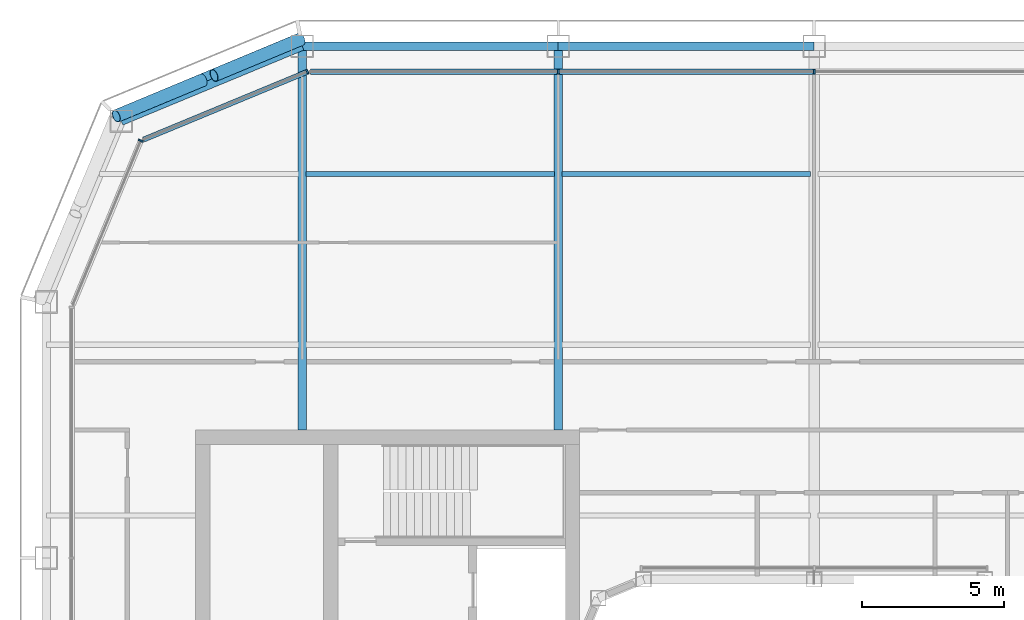
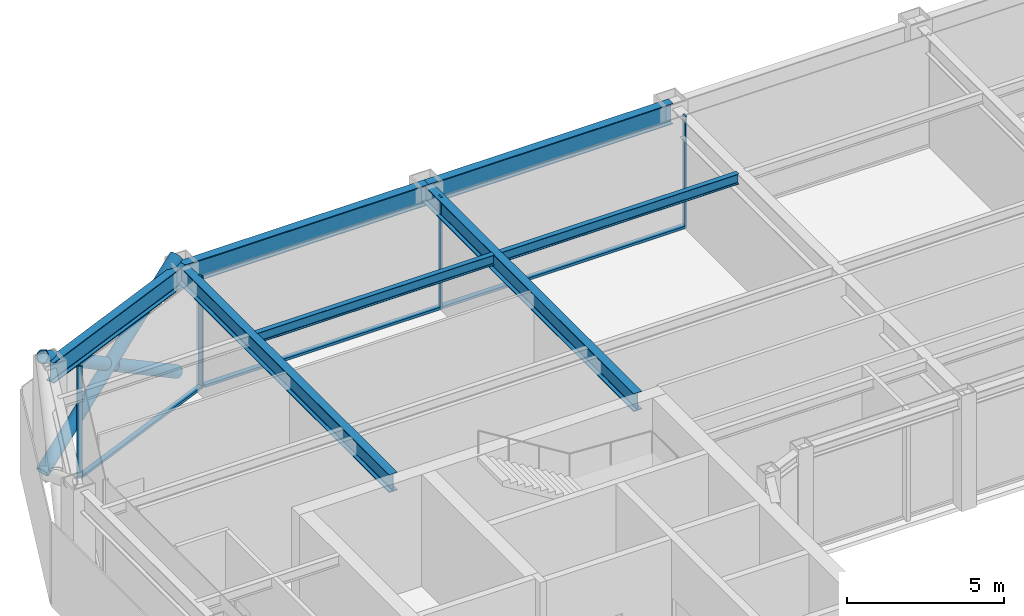
# One storey, part 8 of 22: 10 members, 7 beams, 3 elements without a shape of their own.
"""IFC4 building model written with IfcOpenShell, lengths in metres."""

from ifc_helpers import new_model, si_unit, direction, frame, origin, origin_2d, place, context, subcontext, project, spatial, rectangle, hollow_circle, i_section, extrude, material, layer, layer_set, material_profile, profile_set, type_object, element, aggregate, save


model = new_model("IFC4")

# Units and contexts
model_context = context("Model", 3, precision=1e-05, world=origin(), true_north=direction((0.0, 1.0)))
body_context = subcontext(model_context, "Body", "Model", "MODEL_VIEW")
ifc_project = project(units=[si_unit("LENGTHUNIT", "METRE"), si_unit("AREAUNIT", "SQUARE_METRE"), si_unit("VOLUMEUNIT", "CUBIC_METRE"), si_unit("PLANEANGLEUNIT", "RADIAN"), si_unit("MASSUNIT", "GRAM", prefix="KILO")], contexts=[model_context])

# Site, building, storey
site_placement = place(None, origin())
site = spatial("IfcSite", under=ifc_project, at=site_placement, CompositionType="ELEMENT")
building_placement = place(site_placement, origin())
building = spatial("IfcBuilding", under=site, at=building_placement, Name="Siwar Civic Tower", CompositionType="ELEMENT")
storey_placement = place(building_placement, frame((0.0, 0.0, 255.699951171875)))
storey = spatial("IfcBuildingStorey", under=building, at=storey_placement, Name="L55", CompositionType="ELEMENT", Elevation=255.699951171875)

# Curtain wall, members
ifc_material_1 = material(Name="Aluminium and glass", Category="aluminium")
ifc_layer_1 = layer(ifc_material_1, 0.179931640625)
ifc_layer_set_1 = layer_set([ifc_layer_1], Name="Aluminium and glass")
curtain_wall_type_1 = type_object("IfcCurtainWallType", Name="ENV-CW-C", PredefinedType="NOTDEFINED", material=ifc_layer_set_1)
curtain_wall_1_placement = place(storey_placement, origin())
curtain_wall_1 = element("IfcCurtainWall", 1, at=curtain_wall_1_placement, inside=storey, type_object=curtain_wall_type_1, Name="Curtain wall C N", PredefinedType="NOTDEFINED")
ifc_material_2 = material(Name="Aluminium 6063-T6", Category="aluminium")
ifc_material_profile_1 = material_profile(ifc_material_2, rectangle(XDim=0.179931640625, YDim=0.06005859375, at=origin_2d()), Name="AL 180x60")
ifc_profile_set_1 = profile_set([ifc_material_profile_1], Name="Aluminium 6063-T6")
member_type_1 = type_object("IfcMemberType", Name="ENV-MULLION-C", PredefinedType="MULLION", material=ifc_profile_set_1)
member_1_placement = place(storey_placement, frame((0.0, 26.10009765625, 0.0), z_axis=(0.0, 0.0, 1.0), x_axis=(0.0, -1.0, 0.0)))
member_1 = element("IfcMember", 2, at=member_1_placement, type_object=member_type_1, Name="Mullion C N 3", PredefinedType="MULLION", context=body_context, shape_type="SweptSolid", body=[
    extrude(rectangle(XDim=0.179931640625, YDim=0.06005859375, at=origin_2d()), origin(), (0.0, 0.0, 1.0), 4.35009765625),
])
member_2_placement = place(storey_placement, frame((-9.0, 26.10009765625, 0.0), z_axis=(0.0, 0.0, 1.0), x_axis=(0.0, -1.0, 0.0)))
member_2 = element("IfcMember", 3, at=member_2_placement, type_object=member_type_1, Name="Mullion C N 4", PredefinedType="MULLION", context=body_context, shape_type="SweptSolid", body=[
    extrude(rectangle(XDim=0.179931640625, YDim=0.06005859375, at=origin_2d()), origin(), (0.0, 0.0, 1.0), 4.35009765625),
])

# Curtain wall, member
ifc_material_3 = material(Name="Aluminium clad insulated panel", Category="aluminium")
ifc_layer_2 = layer(ifc_material_3, 0.179931640625)
ifc_layer_set_2 = layer_set([ifc_layer_2], Name="Aluminium clad insulated panel")
curtain_wall_type_2 = type_object("IfcCurtainWallType", Name="ENV-CW-CX", PredefinedType="NOTDEFINED", material=ifc_layer_set_2)
curtain_wall_2_placement = place(storey_placement, origin())
curtain_wall_2 = element("IfcCurtainWall", 4, at=curtain_wall_2_placement, inside=storey, type_object=curtain_wall_type_2, Name="Curtain wall C NW1", PredefinedType="NOTDEFINED")
member_3_placement = place(storey_placement, frame((-17.821044921875, 26.10009765625, 0.0), z_axis=(0.0, 0.0, 1.0), x_axis=(0.382683432365, -0.923879532511, 0.0)))
member_3 = element("IfcMember", 5, at=member_3_placement, type_object=member_type_1, Name="Mullion C NW1 1", PredefinedType="MULLION", context=body_context, shape_type="SweptSolid", body=[
    extrude(rectangle(XDim=0.179931640625, YDim=0.06005859375, at=origin_2d()), origin(), (0.0, 0.0, 1.0), 4.35009765625),
])

curtain_wall_3_placement = place(storey_placement, origin())
curtain_wall_3 = element("IfcCurtainWall", 6, at=curtain_wall_3_placement, inside=storey, type_object=curtain_wall_type_2, Name="Curtain wall C NW2", PredefinedType="NOTDEFINED")
member_4_placement = place(storey_placement, frame((-23.675048828125, 23.675048828125, 0.0), z_axis=(0.0, 0.0, 1.0), x_axis=(0.923879532511, -0.382683432365, 0.0)))
member_4 = element("IfcMember", 7, at=member_4_placement, type_object=member_type_1, Name="Mullion C NW2 1", PredefinedType="MULLION", context=body_context, shape_type="SweptSolid", body=[
    extrude(rectangle(XDim=0.179931640625, YDim=0.06005859375, at=origin_2d()), origin(), (0.0, 0.0, 1.0), 4.35009765625),
])
aggregate(curtain_wall_3, [member_4])

# Member
ifc_material_4 = material(Name="Aluminium 6063-T6", Category="aluminium")
ifc_material_profile_2 = material_profile(ifc_material_4, rectangle(XDim=0.179931640625, YDim=0.10009765625, at=origin_2d()), Name="AL 180x100")
ifc_profile_set_2 = profile_set([ifc_material_profile_2], Name="Aluminium 6063-T6")
member_type_2 = type_object("IfcMemberType", Name="ENV-TRANSOM-C", PredefinedType="USERDEFINED", material=ifc_profile_set_2)
member_5_placement = place(storey_placement, frame((-0.030029296875, 26.10009765625, 0.050048828125), z_axis=(-1.0, 0.0, 0.0), x_axis=(0.0, -1.0, 0.0)))
member_5 = element("IfcMember", 8, at=member_5_placement, type_object=member_type_2, Name="Transom C N 3", ObjectType="TRANSOM", PredefinedType="USERDEFINED", context=body_context, shape_type="SweptSolid", body=[
    extrude(rectangle(XDim=0.179931640625, YDim=0.10009765625, at=origin_2d()), origin(), (0.0, 0.0, 1.0), 8.93994140625),
])

member_6_placement = place(storey_placement, frame((-9.030029296875, 26.10009765625, 0.050048828125), z_axis=(-1.0, 0.0, 0.0), x_axis=(0.0, -1.0, 0.0)))
member_6 = element("IfcMember", 9, at=member_6_placement, type_object=member_type_2, Name="Transom C N 4", ObjectType="TRANSOM", PredefinedType="USERDEFINED", context=body_context, shape_type="SweptSolid", body=[
    extrude(rectangle(XDim=0.179931640625, YDim=0.10009765625, at=origin_2d()), origin(), (0.0, 0.0, 1.0), 8.68603515625),
])

aggregate(curtain_wall_1, [member_1, member_2, member_5, member_6])

member_7_placement = place(storey_placement, frame((-17.8486328125, 26.088623046875, 0.050048828125), z_axis=(-0.923882011223, -0.38267744817, 0.0), x_axis=(0.38267744817, -0.923882011223, 0.0)))
member_7 = element("IfcMember", 10, at=member_7_placement, type_object=member_type_2, Name="Transom C NW1 1", ObjectType="TRANSOM", PredefinedType="USERDEFINED", context=body_context, shape_type="SweptSolid", body=[
    extrude(rectangle(XDim=0.179931640625, YDim=0.10009765625, at=origin_2d()), origin(), (0.0, 0.0, 1.0), 6.201904296875),
])

aggregate(curtain_wall_2, [member_3, member_7])

# Members
ifc_material_5 = material(Name="Steel S355", Category="steel")
ifc_material_profile_3 = material_profile(ifc_material_5, hollow_circle(Radius=0.228515625, WallThickness=0.02001953125, at=origin_2d()), Name="CHS457x20")
ifc_profile_set_3 = profile_set([ifc_material_profile_3], Name="Steel S355")
member_type_3 = type_object("IfcMemberType", Name="STR-BR-CHS457x20", PredefinedType="BRACE", material=ifc_profile_set_3)
member_8_placement = place(storey_placement, frame((-24.540771484375, 24.540771484375, 0.0), z_axis=(0.777554562952, 0.323905527954, 0.538975055633), x_axis=(-0.384538969033, 0.923108759191, 0.0)))
element("IfcMember", 11, at=member_8_placement, inside=storey, type_object=member_type_3, Name="L55/brc/CNW1-15-0-0", PredefinedType="BRACE", context=body_context, shape_type="SweptSolid", body=[
    extrude(hollow_circle(Radius=0.228515625, WallThickness=0.02001953125, at=origin_2d()), origin(), (0.0, 0.0, 1.0), 8.34912109375),
])
for number, where, z_axis, x_axis, name in (
    (12, (-18.048828125, 27.2451171875, 0.0), (-0.777546448489, -0.323884455881, 0.538999424564), (0.38452107079, -0.92311621485, 0.0), "L55/brc/CNW1-15-0-4"),
    (13, (-21.486572265625, 25.81298828125, 2.383056640625), (-0.777572496853, -0.323895306243, 0.538955325357), (0.38452107079, -0.92311621485, 0.0), "L55/brc/CNW1-15-0-5"),
):
    element("IfcMember", number, at=place(storey_placement, frame(where, z_axis=z_axis, x_axis=x_axis)), inside=storey, type_object=member_type_3, Name=name, PredefinedType="BRACE", context=body_context, shape_type="SweptSolid", body=[
        extrude(hollow_circle(Radius=0.228515625, WallThickness=0.02001953125, at=origin_2d()), origin(), (0.0, 0.0, 1.0), 3.927978515625),
    ])

# Beams
ifc_material_6 = material(Name="Steel S355", Category="steel")
ifc_material_profile_4 = material_profile(ifc_material_6, i_section(OverallWidth=0.179931640625, OverallDepth=0.39990234375, WebThickness=0.008544921875, FlangeThickness=0.013427734375, FilletRadius=0.02099609375, at=origin_2d()), Name="IPE400")
ifc_profile_set_4 = profile_set([ifc_material_profile_4], Name="Steel S355")
beam_type_1 = type_object("IfcBeamType", Name="STR-FB-IPE400", PredefinedType="JOIST", material=ifc_profile_set_4)
for number, where, z_axis, x_axis, name in (
    (14, (-17.8701171875, 22.5, 4.150146484375), (1.0, 0.0, 0.0), (0.0, 1.0, 0.0), "L55/bm/F038"),
    (15, (-8.8701171875, 22.5, 4.150146484375), (1.0, 0.0, 0.0), (0.0, 1.0, 0.0), "L55/bm/F039"),
):
    element("IfcBeam", number, at=place(storey_placement, frame(where, z_axis=z_axis, x_axis=x_axis)), inside=storey, type_object=beam_type_1, Name=name, PredefinedType="JOIST", context=body_context, shape_type="SweptSolid", body=[
        extrude(i_section(OverallWidth=0.179931640625, OverallDepth=0.39990234375, WebThickness=0.008544921875, FlangeThickness=0.013427734375, FilletRadius=0.02099609375, at=origin_2d()), origin(), (0.0, 0.0, 1.0), 8.740234375),
    ])
ifc_material_7 = material(Name="Steel S355", Category="steel")
ifc_material_profile_5 = material_profile(ifc_material_7, i_section(OverallWidth=0.300048828125, OverallDepth=0.699951171875, WebThickness=0.01708984375, FlangeThickness=0.031982421875, FilletRadius=0.027099609375, at=origin_2d()), Name="HEB700")
ifc_profile_set_5 = profile_set([ifc_material_profile_5], Name="Steel S355")
beam_type_2 = type_object("IfcBeamType", Name="STR-PG-HEB700", PredefinedType="BEAM", material=ifc_profile_set_5)
for number, where, z_axis, x_axis, name in (
    (16, (-18.0, 13.5, 4.0), (0.0, 1.0, 0.0), (-1.0, 0.0, 0.0), "L55/bm/G02"),
    (17, (-9.0, 13.5, 4.0), (0.0, 1.0, 0.0), (-1.0, 0.0, 0.0), "L55/bm/G04"),
):
    element("IfcBeam", number, at=place(storey_placement, frame(where, z_axis=z_axis, x_axis=x_axis)), inside=storey, type_object=beam_type_2, Name=name, PredefinedType="BEAM", context=body_context, shape_type="SweptSolid", body=[
        extrude(i_section(OverallWidth=0.300048828125, OverallDepth=0.699951171875, WebThickness=0.01708984375, FlangeThickness=0.031982421875, FilletRadius=0.027099609375, at=origin_2d()), origin(), (0.0, 0.0, 1.0), 13.5),
    ])
ifc_material_8 = material(Name="Steel S355", Category="steel")
ifc_material_profile_6 = material_profile(ifc_material_8, i_section(OverallWidth=0.300048828125, OverallDepth=0.800048828125, WebThickness=0.017578125, FlangeThickness=0.032958984375, FilletRadius=0.030029296875, at=origin_2d()), Name="HEB800")
ifc_profile_set_6 = profile_set([ifc_material_profile_6], Name="Steel S355")
beam_type_3 = type_object("IfcBeamType", Name="STR-SB-HEB800", PredefinedType="BEAM", material=ifc_profile_set_6)
for number, where, z_axis, x_axis, name in (
    (18, (0.0, 27.0, 3.949951171875), (-1.0, 0.0, 0.0), (0.0, -1.0, 0.0), "L55/bm/SN-2"),
    (19, (-9.0, 27.0, 3.949951171875), (-1.0, 0.0, 0.0), (0.0, -1.0, 0.0), "L55/bm/SN-3"),
):
    element("IfcBeam", number, at=place(storey_placement, frame(where, z_axis=z_axis, x_axis=x_axis)), inside=storey, type_object=beam_type_3, Name=name, PredefinedType="BEAM", context=body_context, shape_type="SweptSolid", body=[
        extrude(i_section(OverallWidth=0.300048828125, OverallDepth=0.800048828125, WebThickness=0.017578125, FlangeThickness=0.032958984375, FilletRadius=0.030029296875, at=origin_2d()), origin(), (0.0, 0.0, 1.0), 9.0),
    ])
beam_placement = place(storey_placement, frame((-18.0, 27.0, 3.949951171875), z_axis=(-0.923883353507, -0.382674207535, 0.0), x_axis=(0.382674207535, -0.923883353507, 0.0)))
element("IfcBeam", 20, at=beam_placement, inside=storey, type_object=beam_type_3, Name="L55/bm/SNW1-0", PredefinedType="BEAM", context=body_context, shape_type="SweptSolid", body=[
    extrude(i_section(OverallWidth=0.300048828125, OverallDepth=0.800048828125, WebThickness=0.017578125, FlangeThickness=0.032958984375, FilletRadius=0.030029296875, at=origin_2d()), origin(), (0.0, 0.0, 1.0), 6.888427734375),
])

save(model, "model.ifc")
